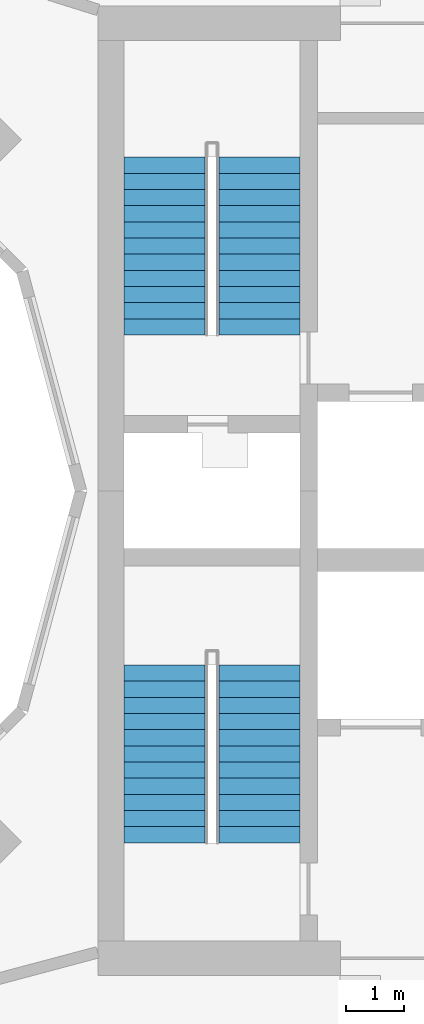
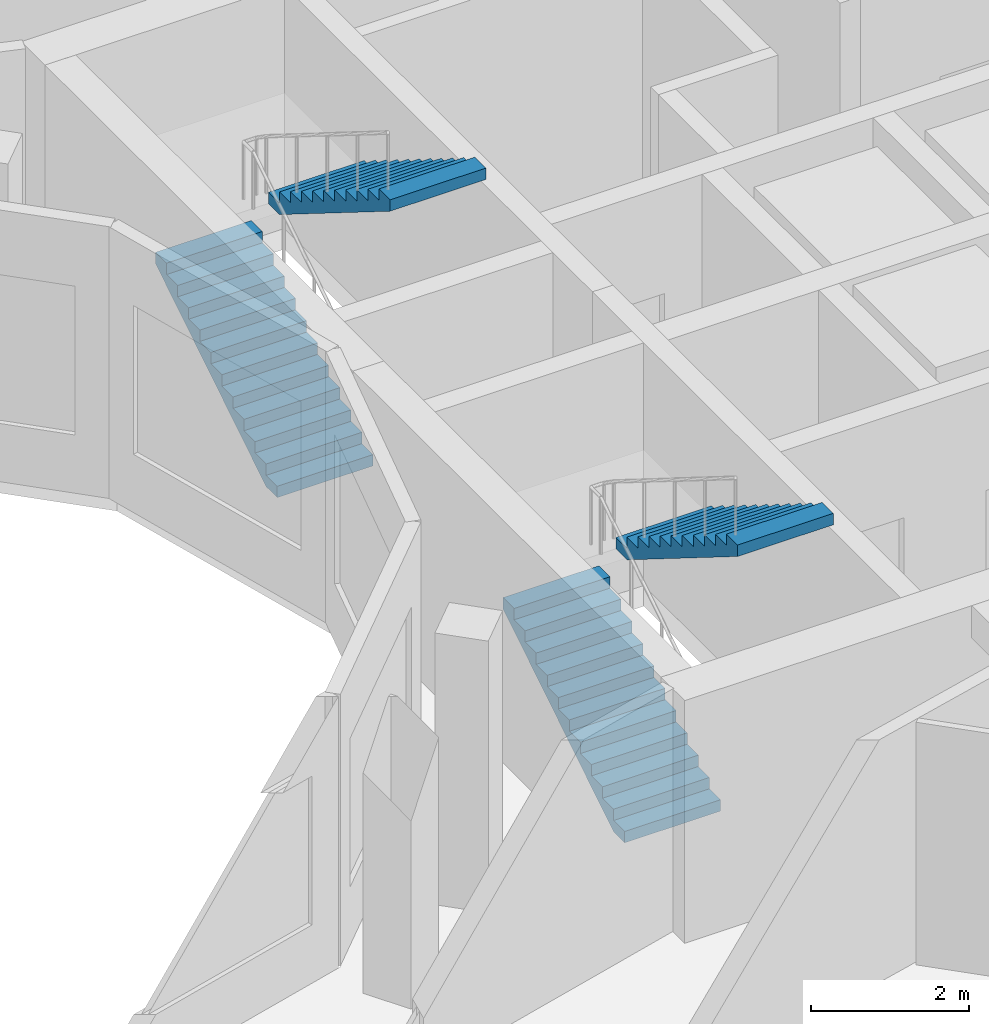
# One storey, part 13 of 15: 4 stair flights, 2 elements without a shape of their own.
"""IFC4 building model written with IfcOpenShell, lengths in metres."""

from ifc_helpers import new_model, si_unit, direction, frame, origin, place, context, subcontext, project, spatial, polyline, outline, extrude, material, layer, layer_set, type_object, element, aggregate, save


model = new_model("IFC4")

# Units and contexts
model_context = context("Model", 3, precision=1e-05, world=origin(), true_north=direction((0.0, 1.0)))
body_context = subcontext(model_context, "Body", "Model", "MODEL_VIEW")
ifc_project = project(units=[si_unit("LENGTHUNIT", "METRE"), si_unit("AREAUNIT", "SQUARE_METRE"), si_unit("VOLUMEUNIT", "CUBIC_METRE"), si_unit("PLANEANGLEUNIT", "RADIAN"), si_unit("MASSUNIT", "GRAM", prefix="KILO")], contexts=[model_context])

# Site, building, storey
site_placement = place(None, origin())
site = spatial("IfcSite", under=ifc_project, at=site_placement, CompositionType="ELEMENT")
building_placement = place(site_placement, origin())
building = spatial("IfcBuilding", under=site, at=building_placement, Name="Torre Brocal", CompositionType="ELEMENT")
storey_placement = place(building_placement, frame((0.0, 0.0, 266.699951171875)))
storey = spatial("IfcBuildingStorey", under=building, at=storey_placement, Name="L61", CompositionType="ELEMENT", Elevation=266.699951171875)

# Stair, stair flights
ifc_material_1 = material(Name="Concrete C50", Category="concrete")
stair_type = type_object("IfcStairType", Name="EXIT STAIR", PredefinedType="HALF_TURN_STAIR", material=ifc_material_1)
stair_1_placement = place(storey_placement, origin())
stair_1 = element("IfcStair", 1, at=stair_1_placement, inside=storey, type_object=stair_type, Name="EXIT STAIR ST1", PredefinedType="HALF_TURN_STAIR")
ifc_material_2 = material(Name="Concrete C50", Category="concrete")
ifc_layer = layer(ifc_material_2, 0.14990234375)
ifc_layer_set = layer_set([ifc_layer], Name="Concrete C50")
stair_flight_type = type_object("IfcStairFlightType", Name="STAIR FLIGHT", PredefinedType="STRAIGHT", material=ifc_layer_set)
stair_flight_1_placement = place(storey_placement, frame((89.050048828125, 77.699951171875, 0.0), z_axis=(0.0, 0.0, 1.0), x_axis=(0.0, 1.0, 0.0)))
stair_flight_1 = element("IfcStairFlight", 2, at=stair_flight_1_placement, type_object=stair_flight_type, Name="ST1 flight 1", NumberOfRisers=12, NumberOfTreads=11, PredefinedType="STRAIGHT", RiserHeight=0.175, TreadLength=0.28, context=body_context, shape_type="SweptSolid", body=[
    extrude(outline(polyline([(0.0, 0.0), (0.0, 0.175048828125), (0.280029296875, 0.175048828125), (0.280029296875, 0.35009765625), (0.56005859375, 0.35009765625), (0.56005859375, 0.52490234375), (0.840087890625, 0.52490234375), (0.840087890625, 0.699951171875), (1.1201171875, 0.699951171875), (1.1201171875, 0.875), (1.39990234375, 0.875), (1.39990234375, 1.050048828125), (1.679931640625, 1.050048828125), (1.679931640625, 1.22509765625), (1.9599609375, 1.22509765625), (1.9599609375, 1.39990234375), (2.239990234375, 1.39990234375), (2.239990234375, 1.574951171875), (2.52001953125, 1.574951171875), (2.52001953125, 1.75), (2.800048828125, 1.75), (2.800048828125, 1.925048828125), (3.080078125, 1.925048828125), (3.080078125, 2.10009765625), (3.080078125, 1.748291015625), (0.28271484375, 0.0), (0.0, 0.0)])), frame((0.0, 0.699951171875, 0.0), z_axis=(0.0, -1.0, 0.0), x_axis=(1.0, 0.0, 0.0)), (0.0, 0.0, 1.0), 1.39990234375),
])
stair_flight_2_placement = place(storey_placement, frame((90.699951171875, 80.780029296875, 2.10009765625), z_axis=(0.0, 0.0, 1.0), x_axis=(0.0, -1.0, 0.0)))
stair_flight_2 = element("IfcStairFlight", 3, at=stair_flight_2_placement, type_object=stair_flight_type, Name="ST1 flight 2", NumberOfRisers=12, NumberOfTreads=11, PredefinedType="STRAIGHT", RiserHeight=0.175, TreadLength=0.28, context=body_context, shape_type="SweptSolid", body=[
    extrude(outline(polyline([(0.0, 0.0), (0.0, 0.175048828125), (0.280029296875, 0.175048828125), (0.280029296875, 0.35009765625), (0.56005859375, 0.35009765625), (0.56005859375, 0.52490234375), (0.840087890625, 0.52490234375), (0.840087890625, 0.699951171875), (1.1201171875, 0.699951171875), (1.1201171875, 0.875), (1.39990234375, 0.875), (1.39990234375, 1.050048828125), (1.679931640625, 1.050048828125), (1.679931640625, 1.22509765625), (1.9599609375, 1.22509765625), (1.9599609375, 1.39990234375), (2.239990234375, 1.39990234375), (2.239990234375, 1.574951171875), (2.52001953125, 1.574951171875), (2.52001953125, 1.75), (2.800048828125, 1.75), (2.800048828125, 1.925048828125), (3.080078125, 1.925048828125), (3.080078125, 2.10009765625), (3.080078125, 1.748291015625), (0.28271484375, 0.0), (0.0, 0.0)])), frame((0.0, 0.699951171875, 0.0), z_axis=(0.0, -1.0, 0.0), x_axis=(1.0, 0.0, 0.0)), (0.0, 0.0, 1.0), 1.39990234375),
])
aggregate(stair_1, [stair_flight_1, stair_flight_2])

stair_2_placement = place(storey_placement, origin())
stair_2 = element("IfcStair", 4, at=stair_2_placement, inside=storey, type_object=stair_type, Name="EXIT STAIR ST2", PredefinedType="HALF_TURN_STAIR")
stair_flight_3_placement = place(storey_placement, frame((89.050048828125, 68.89990234375, 0.0), z_axis=(0.0, 0.0, 1.0), x_axis=(0.0, 1.0, 0.0)))
stair_flight_3 = element("IfcStairFlight", 5, at=stair_flight_3_placement, type_object=stair_flight_type, Name="ST2 flight 1", NumberOfRisers=12, NumberOfTreads=11, PredefinedType="STRAIGHT", RiserHeight=0.175, TreadLength=0.28, context=body_context, shape_type="SweptSolid", body=[
    extrude(outline(polyline([(0.0, 0.0), (0.0, 0.175048828125), (0.280029296875, 0.175048828125), (0.280029296875, 0.35009765625), (0.56005859375, 0.35009765625), (0.56005859375, 0.52490234375), (0.840087890625, 0.52490234375), (0.840087890625, 0.699951171875), (1.1201171875, 0.699951171875), (1.1201171875, 0.875), (1.39990234375, 0.875), (1.39990234375, 1.050048828125), (1.679931640625, 1.050048828125), (1.679931640625, 1.22509765625), (1.9599609375, 1.22509765625), (1.9599609375, 1.39990234375), (2.239990234375, 1.39990234375), (2.239990234375, 1.574951171875), (2.52001953125, 1.574951171875), (2.52001953125, 1.75), (2.800048828125, 1.75), (2.800048828125, 1.925048828125), (3.080078125, 1.925048828125), (3.080078125, 2.10009765625), (3.080078125, 1.748291015625), (0.28271484375, 0.0), (0.0, 0.0)])), frame((0.0, 0.699951171875, 0.0), z_axis=(0.0, -1.0, 0.0), x_axis=(1.0, 0.0, 0.0)), (0.0, 0.0, 1.0), 1.39990234375),
])
stair_flight_4_placement = place(storey_placement, frame((90.699951171875, 71.97998046875, 2.10009765625), z_axis=(0.0, 0.0, 1.0), x_axis=(0.0, -1.0, 0.0)))
stair_flight_4 = element("IfcStairFlight", 6, at=stair_flight_4_placement, type_object=stair_flight_type, Name="ST2 flight 2", NumberOfRisers=12, NumberOfTreads=11, PredefinedType="STRAIGHT", RiserHeight=0.175, TreadLength=0.28, context=body_context, shape_type="SweptSolid", body=[
    extrude(outline(polyline([(0.0, 0.0), (0.0, 0.175048828125), (0.280029296875, 0.175048828125), (0.280029296875, 0.35009765625), (0.56005859375, 0.35009765625), (0.56005859375, 0.52490234375), (0.840087890625, 0.52490234375), (0.840087890625, 0.699951171875), (1.1201171875, 0.699951171875), (1.1201171875, 0.875), (1.39990234375, 0.875), (1.39990234375, 1.050048828125), (1.679931640625, 1.050048828125), (1.679931640625, 1.22509765625), (1.9599609375, 1.22509765625), (1.9599609375, 1.39990234375), (2.239990234375, 1.39990234375), (2.239990234375, 1.574951171875), (2.52001953125, 1.574951171875), (2.52001953125, 1.75), (2.800048828125, 1.75), (2.800048828125, 1.925048828125), (3.080078125, 1.925048828125), (3.080078125, 2.10009765625), (3.080078125, 1.748291015625), (0.28271484375, 0.0), (0.0, 0.0)])), frame((0.0, 0.699951171875, 0.0), z_axis=(0.0, -1.0, 0.0), x_axis=(1.0, 0.0, 0.0)), (0.0, 0.0, 1.0), 1.39990234375),
])
aggregate(stair_2, [stair_flight_3, stair_flight_4])

save(model, "model.ifc")
